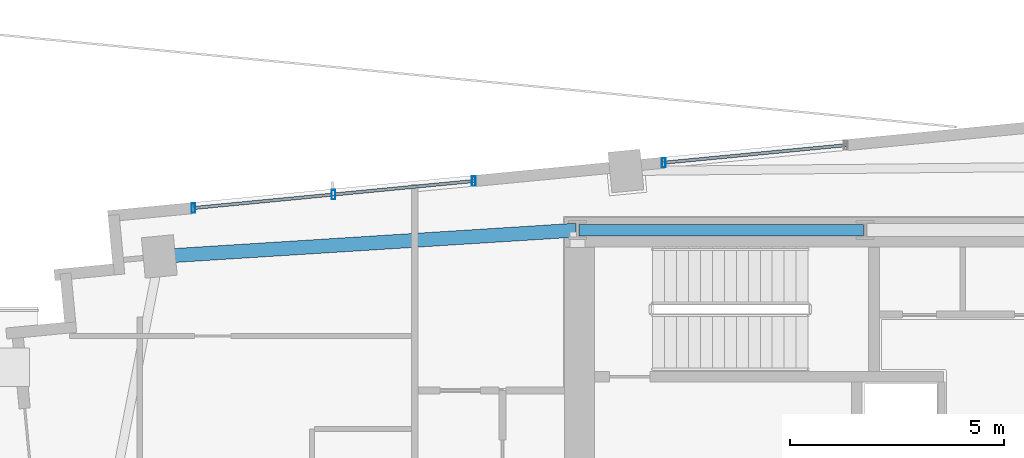
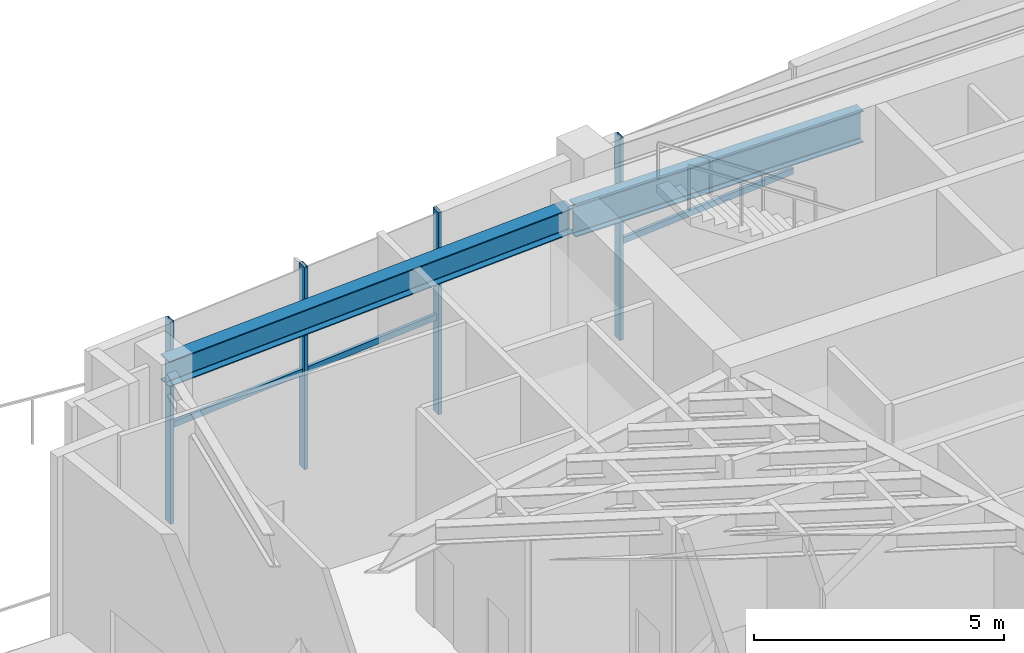
# One storey, part 6 of 21: 7 members, 2 beams, 2 elements without a shape of their own.
"""IFC4 building model written with IfcOpenShell, lengths in metres."""

from ifc_helpers import new_model, si_unit, direction, frame, origin, origin_2d, place, context, subcontext, project, spatial, hollow_rectangle, i_section, extrude, source, transform, mapped, material, material_profile, profile_set, type_object, type_shapes, element, aggregate, save


model = new_model("IFC4")

# Units and contexts
model_context = context("Model", 3, precision=1e-05, world=origin(), true_north=direction((0.0, 1.0)))
body_context = subcontext(model_context, "Body", "Model", "MODEL_VIEW")
ifc_project = project(units=[si_unit("LENGTHUNIT", "METRE"), si_unit("AREAUNIT", "SQUARE_METRE"), si_unit("VOLUMEUNIT", "CUBIC_METRE"), si_unit("PLANEANGLEUNIT", "RADIAN"), si_unit("MASSUNIT", "GRAM", prefix="KILO")], contexts=[model_context])

# Site, building, storey
site_placement = place(None, origin())
site = spatial("IfcSite", under=ifc_project, at=site_placement, CompositionType="ELEMENT")
building_placement = place(site_placement, origin())
building = spatial("IfcBuilding", under=site, at=building_placement, Name="Astriad Promenade Condominiums", CompositionType="ELEMENT")
storey_placement = place(building_placement, frame((0.0, 0.0, 167.800048828125)))
storey = spatial("IfcBuildingStorey", under=building, at=storey_placement, Name="L48", CompositionType="ELEMENT", Elevation=167.800048828125)

# Beams
ifc_material_1 = material(Name="Steel ASTM A992 Grade 50", Category="steel")
ifc_material_profile_1 = material_profile(ifc_material_1, i_section(OverallWidth=0.267822265625, OverallDepth=0.76953125, WebThickness=0.015625, FlangeThickness=0.025390625, FilletRadius=0.021484375, at=origin_2d()), Name="W30X132")
ifc_profile_set_1 = profile_set([ifc_material_profile_1], Name="Steel ASTM A992 Grade 50")
beam_type_1 = type_object("IfcBeamType", Name="STEEL FLOOR GIRDER W30X132", PredefinedType="BEAM", material=ifc_profile_set_1)
shared_shape_1 = source(origin(), body_context, "Body", "SweptSolid", [
    extrude(i_section(OverallWidth=0.267822265625, OverallDepth=0.76953125, WebThickness=0.015625, FlangeThickness=0.025390625, FilletRadius=0.021484375, at=origin_2d()), origin(), (0.0, 0.0, 1.0), 6.64013671875),
])
type_shapes(beam_type_1, [shared_shape_1])
beam_1_placement = place(storey_placement, frame((26.43994140625, 24.0, 4.55517578125), z_axis=(1.0, 0.0, 0.0), x_axis=(0.0, 1.0, 0.0)))
element("IfcBeam", 1, at=beam_1_placement, inside=storey, type_object=beam_type_1, Name="Core Ring Beam CG-N1-L48", PredefinedType="BEAM", context=body_context, shape_type="MappedRepresentation", body=[
    mapped(shared_shape_1, transform((0.0, 0.0, 0.0), scale=1.0)),
])
ifc_material_profile_2 = material_profile(ifc_material_1, i_section(OverallWidth=0.326416015625, OverallDepth=0.621826171875, WebThickness=0.015380859375, FlangeThickness=0.0244140625, FilletRadius=0.017822265625, at=origin_2d()), Name="W24X131")
ifc_profile_set_2 = profile_set([ifc_material_profile_2], Name="Steel ASTM A992 Grade 50")
beam_type_2 = type_object("IfcBeamType", Name="STEEL FLOOR GIRDER W24X131", PredefinedType="BEAM", material=ifc_profile_set_2)
shared_shape_2 = source(origin(), body_context, "Body", "SweptSolid", [
    extrude(i_section(OverallWidth=0.326416015625, OverallDepth=0.621826171875, WebThickness=0.015380859375, FlangeThickness=0.0244140625, FilletRadius=0.017822265625, at=origin_2d()), origin(), (0.0, 0.0, 1.0), 9.707275390625),
])
type_shapes(beam_type_2, [shared_shape_2])
beam_2_placement = place(storey_placement, frame((16.672119140625, 23.38671875, 4.629150390625), z_axis=(0.998018176507, 0.062926301034, 0.0), x_axis=(-0.062926301034, 0.998018176507, 0.0)))
element("IfcBeam", 2, at=beam_2_placement, inside=storey, type_object=beam_type_2, Name="Primary Floor Girder PG-NW-L48", PredefinedType="BEAM", context=body_context, shape_type="MappedRepresentation", body=[
    mapped(shared_shape_2, transform((0.0, 0.0, 0.0), scale=1.0)),
])

# Curtain wall, members
ifc_material_2 = material(Name="Anodised aluminium Black Dark Glass Unitised", Category="aluminium")
curtain_wall_type = type_object("IfcCurtainWallType", Name="CW-B34-DARK", PredefinedType="USERDEFINED", material=ifc_material_2)
curtain_wall_1_placement = place(storey_placement, origin())
curtain_wall_1 = element("IfcCurtainWall", 3, at=curtain_wall_1_placement, inside=storey, type_object=curtain_wall_type, Name="CW-L48-N-1", ObjectType="UNITISED_CURTAIN_WALL", PredefinedType="USERDEFINED")
ifc_material_3 = material(Name="Anodised aluminium 6063-T6 Black", Category="aluminium")
ifc_material_profile_3 = material_profile(ifc_material_3, hollow_rectangle(XDim=0.0849609375, YDim=0.219970703125, WallThickness=0.0048828125, at=origin_2d()), Name="ALU-MUL-85X220")
ifc_profile_set_3 = profile_set([ifc_material_profile_3], Name="Anodised aluminium 6063-T6 Black")
member_type_1 = type_object("IfcMemberType", Name="MUL-ALU-MUL-85X220", PredefinedType="MULLION", material=ifc_profile_set_3)
shared_shape_3 = source(origin(), body_context, "Body", "SweptSolid", [
    extrude(hollow_rectangle(XDim=0.0849609375, YDim=0.219970703125, WallThickness=0.0048828125, at=origin_2d()), origin(), (0.0, 0.0, 1.0), 4.93994140625),
])
type_shapes(member_type_1, [shared_shape_3])
member_1_placement = place(storey_placement, frame((17.427490234375, 24.515380859375, 0.0), z_axis=(0.0, 0.0, 1.0), x_axis=(1.0, 0.0, 0.0)))
member_1 = element("IfcMember", 4, at=member_1_placement, type_object=member_type_1, Name="CW-L48-N-1-MUL-00", PredefinedType="MULLION", context=body_context, shape_type="MappedRepresentation", body=[
    mapped(shared_shape_3, transform((0.0, 0.0, 0.0), scale=1.0)),
])
member_2_placement = place(storey_placement, frame((20.7021484375, 24.830810546875, 0.0), z_axis=(0.0, 0.0, 1.0), x_axis=(1.0, 0.0, 0.0)))
member_2 = element("IfcMember", 5, at=member_2_placement, type_object=member_type_1, Name="CW-L48-N-1-MUL-01", PredefinedType="MULLION", context=body_context, shape_type="MappedRepresentation", body=[
    mapped(shared_shape_3, transform((0.0, 0.0, 0.0), scale=1.0)),
])
member_3_placement = place(storey_placement, frame((23.97705078125, 25.146240234375, 0.0), z_axis=(0.0, 0.0, 1.0), x_axis=(1.0, 0.0, 0.0)))
member_3 = element("IfcMember", 6, at=member_3_placement, type_object=member_type_1, Name="CW-L48-N-1-MUL-02", PredefinedType="MULLION", context=body_context, shape_type="MappedRepresentation", body=[
    mapped(shared_shape_3, transform((0.0, 0.0, 0.0), scale=1.0)),
])

# Curtain wall, member
curtain_wall_2_placement = place(storey_placement, origin())
curtain_wall_2 = element("IfcCurtainWall", 7, at=curtain_wall_2_placement, inside=storey, type_object=curtain_wall_type, Name="CW-L48-N-2", ObjectType="UNITISED_CURTAIN_WALL", PredefinedType="USERDEFINED")
member_4_placement = place(storey_placement, frame((28.41650390625, 25.573486328125, 0.0), z_axis=(0.0, 0.0, 1.0), x_axis=(1.0, 0.0, 0.0)))
member_4 = element("IfcMember", 8, at=member_4_placement, type_object=member_type_1, Name="CW-L48-N-2-MUL-00", PredefinedType="MULLION", context=body_context, shape_type="MappedRepresentation", body=[
    mapped(shared_shape_3, transform((0.0, 0.0, 0.0), scale=1.0)),
])

# Member
ifc_material_profile_4 = material_profile(ifc_material_3, hollow_rectangle(XDim=0.074951171875, YDim=0.14990234375, WallThickness=0.004150390625, at=origin_2d()), Name="ALU-TRN-75X150")
ifc_profile_set_4 = profile_set([ifc_material_profile_4], Name="Anodised aluminium 6063-T6 Black")
member_type_2 = type_object("IfcMemberType", Name="TRN-ALU-TRN-75X150", PredefinedType="USERDEFINED", material=ifc_profile_set_4)
shared_shape_4 = source(origin(), body_context, "Body", "SweptSolid", [
    extrude(hollow_rectangle(XDim=0.074951171875, YDim=0.14990234375, WallThickness=0.004150390625, at=origin_2d()), origin(), (0.0, 0.0, 1.0), 3.289794921875),
])
member_5_placement = place(storey_placement, frame((17.427490234375, 24.515380859375, 2.349853515625), z_axis=(0.995392834747, 0.095880678632, 0.0), x_axis=(-0.095880678632, 0.995392834747, 0.0)))
member_5 = element("IfcMember", 9, at=member_5_placement, type_object=member_type_2, Name="CW-L48-N-1-TRN-00-0", ObjectType="TRANSOM", PredefinedType="USERDEFINED", context=body_context, shape_type="MappedRepresentation", body=[
    mapped(shared_shape_4, transform((0.0, 0.0, 0.0), scale=1.0)),
])

shared_shape_5 = source(origin(), body_context, "Body", "SweptSolid", [
    extrude(hollow_rectangle(XDim=0.074951171875, YDim=0.14990234375, WallThickness=0.004150390625, at=origin_2d()), origin(), (0.0, 0.0, 1.0), 3.2900390625),
])
member_6_placement = place(storey_placement, frame((20.7021484375, 24.830810546875, 2.349853515625), z_axis=(0.995393516901, 0.095873596529, 0.0), x_axis=(-0.095873596529, 0.995393516901, 0.0)))
member_6 = element("IfcMember", 10, at=member_6_placement, type_object=member_type_2, Name="CW-L48-N-1-TRN-01-0", ObjectType="TRANSOM", PredefinedType="USERDEFINED", context=body_context, shape_type="MappedRepresentation", body=[
    mapped(shared_shape_5, transform((0.0, 0.0, 0.0), scale=1.0)),
])

aggregate(curtain_wall_1, [member_1, member_2, member_3, member_5, member_6])

shared_shape_6 = source(origin(), body_context, "Body", "SweptSolid", [
    extrude(hollow_rectangle(XDim=0.074951171875, YDim=0.14990234375, WallThickness=0.004150390625, at=origin_2d()), origin(), (0.0, 0.0, 1.0), 4.270263671875),
])
type_shapes(member_type_2, [shared_shape_4, shared_shape_5, shared_shape_6])
member_7_placement = place(storey_placement, frame((28.41650390625, 25.573486328125, 2.349853515625), z_axis=(0.995392883157, 0.095880176051, 0.0), x_axis=(-0.095880176051, 0.995392883157, 0.0)))
member_7 = element("IfcMember", 11, at=member_7_placement, type_object=member_type_2, Name="CW-L48-N-2-TRN-00-0", ObjectType="TRANSOM", PredefinedType="USERDEFINED", context=body_context, shape_type="MappedRepresentation", body=[
    mapped(shared_shape_6, transform((0.0, 0.0, 0.0), scale=1.0)),
])

aggregate(curtain_wall_2, [member_4, member_7])

save(model, "model.ifc")
